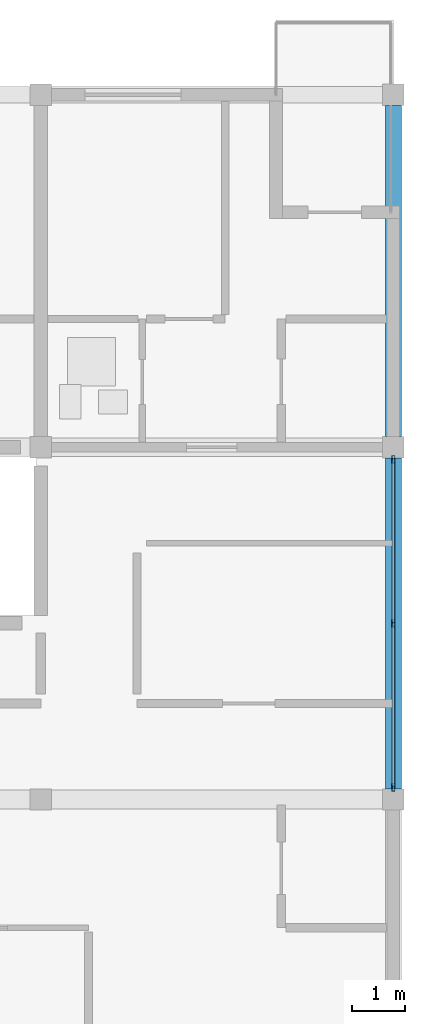
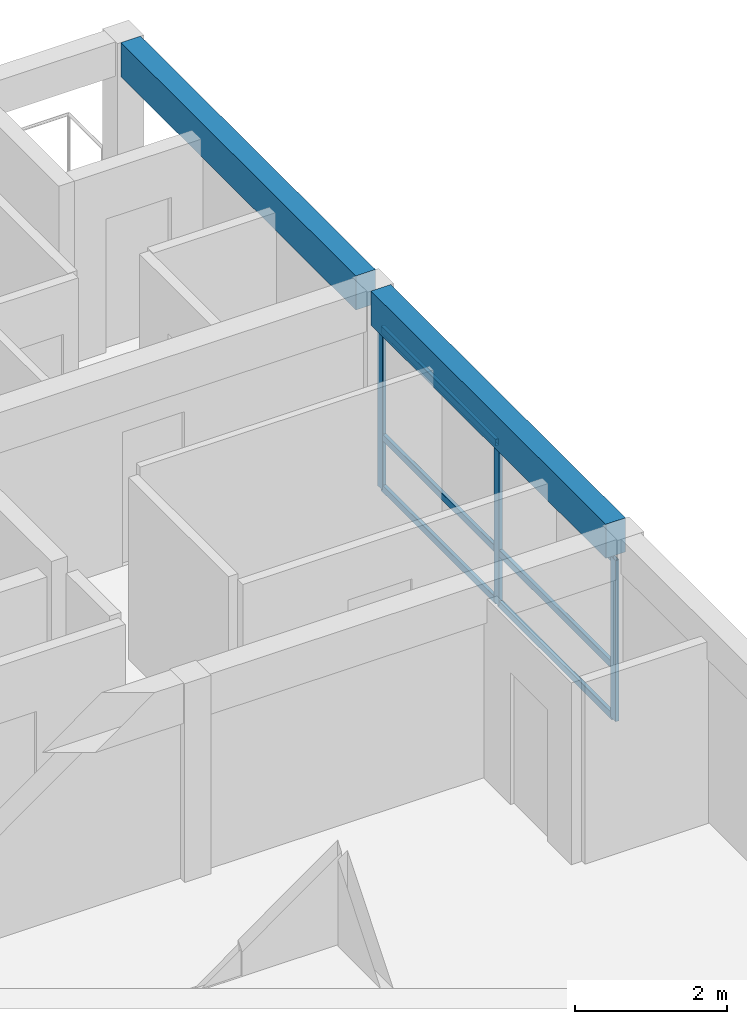
# One storey, part 11 of 23: 9 members, 2 beams, 1 element without a shape of its own.
"""IFC4 building model written with IfcOpenShell, lengths in metres."""

from ifc_helpers import new_model, si_unit, direction, frame, origin, origin_2d, place, context, subcontext, project, spatial, rectangle, hollow_rectangle, extrude, material, material_profile, profile_set, type_object, element, aggregate, save


model = new_model("IFC4")

# Units and contexts
model_context = context("Model", 3, precision=1e-05, world=origin(), true_north=direction((0.0, 1.0)))
body_context = subcontext(model_context, "Body", "Model", "MODEL_VIEW")
ifc_project = project(units=[si_unit("LENGTHUNIT", "METRE"), si_unit("AREAUNIT", "SQUARE_METRE"), si_unit("VOLUMEUNIT", "CUBIC_METRE"), si_unit("PLANEANGLEUNIT", "RADIAN"), si_unit("MASSUNIT", "GRAM", prefix="KILO")], contexts=[model_context])

# Site, building, storey
site_placement = place(None, origin())
site = spatial("IfcSite", under=ifc_project, at=site_placement, CompositionType="ELEMENT")
building_placement = place(site_placement, origin())
building = spatial("IfcBuilding", under=site, at=building_placement, Name="Kernevlak Ridge Housing Community", CompositionType="ELEMENT")
storey_placement = place(building_placement, frame((0.0, 0.0, 46.800048828125)))
storey = spatial("IfcBuildingStorey", under=building, at=storey_placement, Name="L14", CompositionType="ELEMENT", Elevation=46.800048828125)

# Curtain wall, members
ifc_material_1 = material(Name="Aluminium EN AW-6060 anodised and laminated glass", Category="aluminium")
curtain_wall_type = type_object("IfcCurtainWallType", Name="CW-14", PredefinedType="NOTDEFINED", material=ifc_material_1)
curtain_wall_placement = place(storey_placement, origin())
curtain_wall = element("IfcCurtainWall", 1, at=curtain_wall_placement, inside=storey, type_object=curtain_wall_type, Name="Curtain wall CW-14 CW-L14-099", PredefinedType="NOTDEFINED")
ifc_material_2 = material(Name="Aluminium EN AW-6060 anodised", Category="aluminium")
ifc_material_profile_1 = material_profile(ifc_material_2, hollow_rectangle(XDim=0.054931640625, YDim=0.139892578125, WallThickness=0.00390625, InnerFilletRadius=0.001953125, OuterFilletRadius=0.00390625, at=origin_2d()), Name="ALU 55x140x4")
ifc_profile_set_1 = profile_set([ifc_material_profile_1], Name="Aluminium EN AW-6060 anodised")
member_type_1 = type_object("IfcMemberType", Name="MU-01", PredefinedType="MULLION", material=ifc_profile_set_1)
member_1_placement = place(storey_placement, frame((145.800048828125, 89.427490234375, 0.0), z_axis=(0.0, 0.0, 1.0), x_axis=(-1.0, 0.0, 0.0)))
member_1 = element("IfcMember", 2, at=member_1_placement, type_object=member_type_1, Name="CW-14 mullion 1", PredefinedType="MULLION", context=body_context, shape_type="SweptSolid", body=[
    extrude(hollow_rectangle(XDim=0.054931640625, YDim=0.139892578125, WallThickness=0.00390625, InnerFilletRadius=0.001953125, OuterFilletRadius=0.00390625, at=origin_2d()), origin(), (0.0, 0.0, 1.0), 2.599853515625),
])
member_2_placement = place(storey_placement, frame((145.800048828125, 92.5, 0.0), z_axis=(0.0, 0.0, 1.0), x_axis=(-1.0, 0.0, 0.0)))
member_2 = element("IfcMember", 3, at=member_2_placement, type_object=member_type_1, Name="CW-14 mullion 2", PredefinedType="MULLION", context=body_context, shape_type="SweptSolid", body=[
    extrude(hollow_rectangle(XDim=0.054931640625, YDim=0.139892578125, WallThickness=0.00390625, InnerFilletRadius=0.001953125, OuterFilletRadius=0.00390625, at=origin_2d()), origin(), (0.0, 0.0, 1.0), 2.599853515625),
])
member_3_placement = place(storey_placement, frame((145.800048828125, 95.572509765625, 0.0), z_axis=(0.0, 0.0, 1.0), x_axis=(-1.0, 0.0, 0.0)))
member_3 = element("IfcMember", 4, at=member_3_placement, type_object=member_type_1, Name="CW-14 mullion 3", PredefinedType="MULLION", context=body_context, shape_type="SweptSolid", body=[
    extrude(hollow_rectangle(XDim=0.054931640625, YDim=0.139892578125, WallThickness=0.00390625, InnerFilletRadius=0.001953125, OuterFilletRadius=0.00390625, at=origin_2d()), origin(), (0.0, 0.0, 1.0), 2.599853515625),
])

# Beams
ifc_material_3 = material(Name="Concrete C35/45", Category="concrete")
ifc_material_profile_2 = material_profile(ifc_material_3, rectangle(XDim=0.300048828125, YDim=0.550048828125, at=origin_2d()), Name="RC 300x550")
ifc_profile_set_2 = profile_set([ifc_material_profile_2], Name="Concrete C35/45")
beam_type = type_object("IfcBeamType", Name="SP-01", PredefinedType="SPANDREL", material=ifc_profile_set_2)
beam_1_placement = place(storey_placement, frame((145.800048828125, 89.39990234375, 2.925048828125), z_axis=(0.0, 1.0, 0.0), x_axis=(-1.0, 0.0, 0.0)))
element("IfcBeam", 5, at=beam_1_placement, inside=storey, type_object=beam_type, Name="Beam SP-01 L14 957", PredefinedType="SPANDREL", context=body_context, shape_type="SweptSolid", body=[
    extrude(rectangle(XDim=0.300048828125, YDim=0.550048828125, at=origin_2d()), origin(), (0.0, 0.0, 1.0), 6.2001953125),
])
beam_2_placement = place(storey_placement, frame((145.800048828125, 96.0, 2.925048828125), z_axis=(0.0, 1.0, 0.0), x_axis=(-1.0, 0.0, 0.0)))
element("IfcBeam", 6, at=beam_2_placement, inside=storey, type_object=beam_type, Name="Beam SP-01 L14 958", PredefinedType="SPANDREL", context=body_context, shape_type="SweptSolid", body=[
    extrude(rectangle(XDim=0.300048828125, YDim=0.550048828125, at=origin_2d()), origin(), (0.0, 0.0, 1.0), 6.199951171875),
])

# Member
ifc_material_profile_3 = material_profile(ifc_material_2, hollow_rectangle(XDim=0.054931640625, YDim=0.110107421875, WallThickness=0.00390625, InnerFilletRadius=0.001953125, OuterFilletRadius=0.00390625, at=origin_2d()), Name="ALU 55x110x4")
ifc_profile_set_3 = profile_set([ifc_material_profile_3], Name="Aluminium EN AW-6060 anodised")
member_type_2 = type_object("IfcMemberType", Name="TM-01", PredefinedType="USERDEFINED", material=ifc_profile_set_3)
member_4_placement = place(storey_placement, frame((145.800048828125, 89.455078125, 0.02734375), z_axis=(0.0, 1.0, 0.0), x_axis=(-1.0, 0.0, 0.0)))
member_4 = element("IfcMember", 7, at=member_4_placement, type_object=member_type_2, Name="CW-14 transom 1.1", ObjectType="TRANSOM", PredefinedType="USERDEFINED", context=body_context, shape_type="SweptSolid", body=[
    extrude(hollow_rectangle(XDim=0.054931640625, YDim=0.110107421875, WallThickness=0.00390625, InnerFilletRadius=0.001953125, OuterFilletRadius=0.00390625, at=origin_2d()), origin(), (0.0, 0.0, 1.0), 3.017333984375),
])

member_5_placement = place(storey_placement, frame((145.800048828125, 89.455078125, 0.849853515625), z_axis=(0.0, 1.0, 0.0), x_axis=(-1.0, 0.0, 0.0)))
member_5 = element("IfcMember", 8, at=member_5_placement, type_object=member_type_2, Name="CW-14 transom 1.2", ObjectType="TRANSOM", PredefinedType="USERDEFINED", context=body_context, shape_type="SweptSolid", body=[
    extrude(hollow_rectangle(XDim=0.054931640625, YDim=0.110107421875, WallThickness=0.00390625, InnerFilletRadius=0.001953125, OuterFilletRadius=0.00390625, at=origin_2d()), origin(), (0.0, 0.0, 1.0), 3.017333984375),
])

member_6_placement = place(storey_placement, frame((145.800048828125, 89.455078125, 2.572509765625), z_axis=(0.0, 1.0, 0.0), x_axis=(-1.0, 0.0, 0.0)))
member_6 = element("IfcMember", 9, at=member_6_placement, type_object=member_type_2, Name="CW-14 transom 1.3", ObjectType="TRANSOM", PredefinedType="USERDEFINED", context=body_context, shape_type="SweptSolid", body=[
    extrude(hollow_rectangle(XDim=0.054931640625, YDim=0.110107421875, WallThickness=0.00390625, InnerFilletRadius=0.001953125, OuterFilletRadius=0.00390625, at=origin_2d()), origin(), (0.0, 0.0, 1.0), 3.017333984375),
])

member_7_placement = place(storey_placement, frame((145.800048828125, 92.527587890625, 0.02734375), z_axis=(0.0, 1.0, 0.0), x_axis=(-1.0, 0.0, 0.0)))
member_7 = element("IfcMember", 10, at=member_7_placement, type_object=member_type_2, Name="CW-14 transom 2.1", ObjectType="TRANSOM", PredefinedType="USERDEFINED", context=body_context, shape_type="SweptSolid", body=[
    extrude(hollow_rectangle(XDim=0.054931640625, YDim=0.110107421875, WallThickness=0.00390625, InnerFilletRadius=0.001953125, OuterFilletRadius=0.00390625, at=origin_2d()), origin(), (0.0, 0.0, 1.0), 3.017333984375),
])

member_8_placement = place(storey_placement, frame((145.800048828125, 92.527587890625, 0.849853515625), z_axis=(0.0, 1.0, 0.0), x_axis=(-1.0, 0.0, 0.0)))
member_8 = element("IfcMember", 11, at=member_8_placement, type_object=member_type_2, Name="CW-14 transom 2.2", ObjectType="TRANSOM", PredefinedType="USERDEFINED", context=body_context, shape_type="SweptSolid", body=[
    extrude(hollow_rectangle(XDim=0.054931640625, YDim=0.110107421875, WallThickness=0.00390625, InnerFilletRadius=0.001953125, OuterFilletRadius=0.00390625, at=origin_2d()), origin(), (0.0, 0.0, 1.0), 3.017333984375),
])

member_9_placement = place(storey_placement, frame((145.800048828125, 92.527587890625, 2.572509765625), z_axis=(0.0, 1.0, 0.0), x_axis=(-1.0, 0.0, 0.0)))
member_9 = element("IfcMember", 12, at=member_9_placement, type_object=member_type_2, Name="CW-14 transom 2.3", ObjectType="TRANSOM", PredefinedType="USERDEFINED", context=body_context, shape_type="SweptSolid", body=[
    extrude(hollow_rectangle(XDim=0.054931640625, YDim=0.110107421875, WallThickness=0.00390625, InnerFilletRadius=0.001953125, OuterFilletRadius=0.00390625, at=origin_2d()), origin(), (0.0, 0.0, 1.0), 3.017333984375),
])

aggregate(curtain_wall, [member_1, member_2, member_3, member_4, member_5, member_6, member_7, member_8, member_9])

save(model, "model.ifc")
